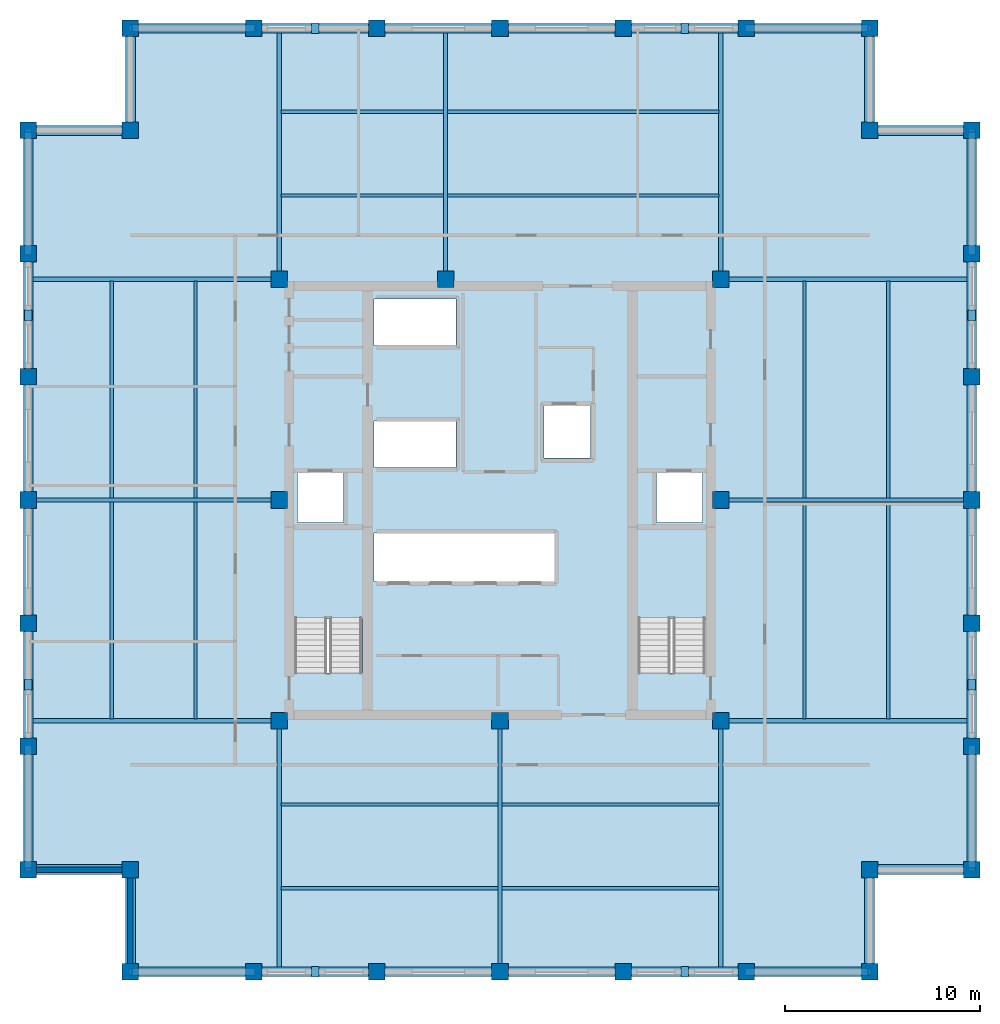
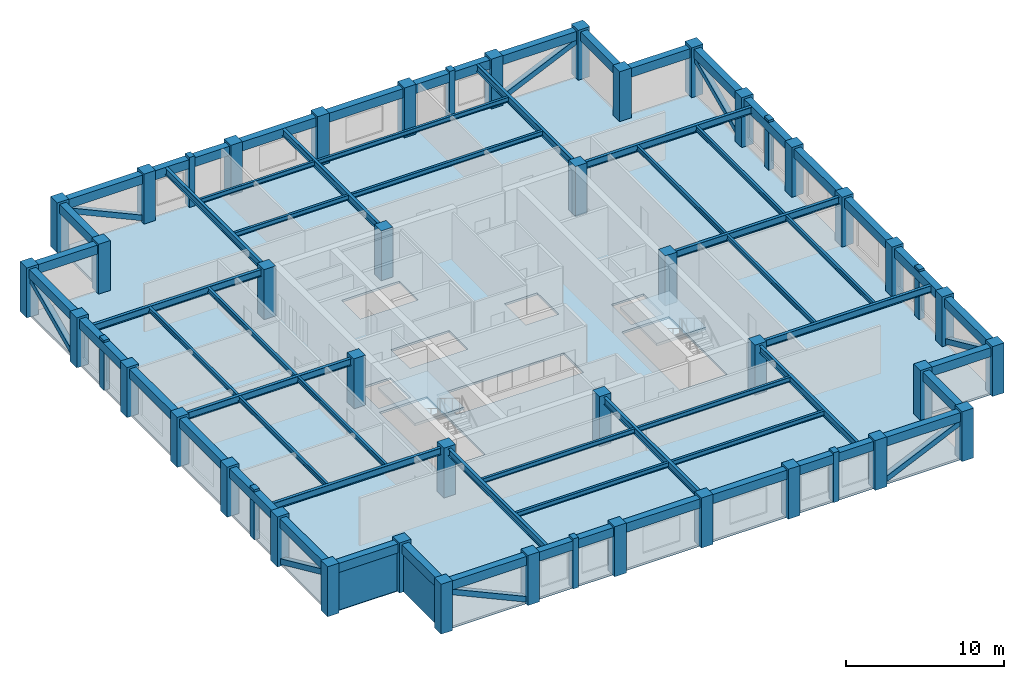
# One storey, part 1 of 6: 60 beams, 40 columns, 16 members, 3 slabs, 2 walls, 2 elements without a shape of their own.
"""IFC4 building model written with IfcOpenShell, lengths in metres."""

from ifc_helpers import new_model, si_unit, direction, frame, frame_2d, origin, origin_2d, place, context, subcontext, project, spatial, polyline, rectangle, hollow_rectangle, i_section, outline, extrude, material, layer, layer_set, material_profile, profile_set, type_object, element, aggregate, save


model = new_model("IFC4")

# Units and contexts
model_context = context("Model", 3, precision=1e-05, world=origin(), true_north=direction((0.0, 1.0)))
body_context = subcontext(model_context, "Body", "Model", "MODEL_VIEW")
ifc_project = project(units=[si_unit("LENGTHUNIT", "METRE"), si_unit("AREAUNIT", "SQUARE_METRE"), si_unit("VOLUMEUNIT", "CUBIC_METRE"), si_unit("PLANEANGLEUNIT", "RADIAN"), si_unit("MASSUNIT", "GRAM", prefix="KILO")], contexts=[model_context])

# Site, building, storey
site_placement = place(None, origin())
site = spatial("IfcSite", under=ifc_project, at=site_placement, CompositionType="ELEMENT")
building_placement = place(site_placement, origin())
building = spatial("IfcBuilding", under=site, at=building_placement, Name="Nhamokura Convention Tower", CompositionType="ELEMENT")
storey_placement = place(building_placement, frame((0.0, 0.0, 194.60009765625)))
storey = spatial("IfcBuildingStorey", under=building, at=storey_placement, Name="L47", CompositionType="ELEMENT", Elevation=194.60009765625)

# Columns
ifc_material_1 = material(Name="Concrete C50/60", Category="concrete")
ifc_material_profile_1 = material_profile(ifc_material_1, rectangle(XDim=0.85009765625, YDim=0.85009765625, at=origin_2d()))
ifc_profile_set_1 = profile_set([ifc_material_profile_1], Name="Concrete C50/60")
column_type = type_object("IfcColumnType", Name="TubeColumn_Z3_850", PredefinedType="COLUMN", material=ifc_profile_set_1)
for number, where, z_axis, x_axis, name in (
    (1, (20.64990234375, 20.64990234375, 0.0), (0.0, 0.0, 1.0), (1.0, 0.0, 0.0), "L47 Core Column CC-SW"),
    (2, (32.0, 20.64990234375, 0.0), (0.0, 0.0, 1.0), (1.0, 0.0, 0.0), "L47 Core Column CC-S"),
    (3, (43.35009765625, 20.64990234375, 0.0), (0.0, 0.0, 1.0), (1.0, 0.0, 0.0), "L47 Core Column CC-SE"),
    (4, (43.35009765625, 32.0, 0.0), (0.0, 0.0, 1.0), (1.0, 0.0, 0.0), "L47 Core Column CC-E"),
    (5, (43.35009765625, 43.35009765625, 0.0), (0.0, 0.0, 1.0), (1.0, 0.0, 0.0), "L47 Core Column CC-NE"),
    (6, (29.199951171875, 43.35009765625, 0.0), (0.0, 0.0, 1.0), (1.0, 0.0, 0.0), "L47 Core Column CC-N"),
    (7, (20.64990234375, 43.35009765625, 0.0), (0.0, 0.0, 1.0), (1.0, 0.0, 0.0), "L47 Core Column CC-NW"),
    (8, (20.64990234375, 32.0, 0.0), (0.0, 0.0, 1.0), (1.0, 0.0, 0.0), "L47 Core Column CC-W"),
    (9, (13.0, 7.75, 0.0), (0.0, 0.0, 1.0), (1.0, 0.0, 0.0), "L47 Perimeter Tube Column SW1"),
    (10, (13.0, 13.0, 0.0), (0.0, 0.0, 1.0), (1.0, 0.0, 0.0), "L47 Perimeter Tube Column SW0"),
    (11, (7.75, 13.0, 0.0), (0.0, 0.0, 1.0), (1.0, 0.0, 0.0), "L47 Perimeter Tube Column SW2"),
    (12, (51.0, 7.75, 0.0), (0.0, 0.0, 1.0), (1.0, 0.0, 0.0), "L47 Perimeter Tube Column SE1"),
    (13, (51.0, 13.0, 0.0), (0.0, 0.0, 1.0), (1.0, 0.0, 0.0), "L47 Perimeter Tube Column SE0"),
    (14, (56.25, 13.0, 0.0), (0.0, 0.0, 1.0), (1.0, 0.0, 0.0), "L47 Perimeter Tube Column SE2"),
    (15, (56.25, 51.0, 0.0), (0.0, 0.0, 1.0), (1.0, 0.0, 0.0), "L47 Perimeter Tube Column NE1"),
    (16, (51.0, 51.0, 0.0), (0.0, 0.0, 1.0), (1.0, 0.0, 0.0), "L47 Perimeter Tube Column NE0"),
    (17, (51.0, 56.25, 0.0), (0.0, 0.0, 1.0), (1.0, 0.0, 0.0), "L47 Perimeter Tube Column NE2"),
    (18, (13.0, 56.25, 0.0), (0.0, 0.0, 1.0), (1.0, 0.0, 0.0), "L47 Perimeter Tube Column NW1"),
    (19, (13.0, 51.0, 0.0), (0.0, 0.0, 1.0), (1.0, 0.0, 0.0), "L47 Perimeter Tube Column NW0"),
    (20, (7.75, 51.0, 0.0), (0.0, 0.0, 1.0), (1.0, 0.0, 0.0), "L47 Perimeter Tube Column NW2"),
    (21, (19.333251953125, 7.75, 0.0), (0.0, 0.0, 1.0), (1.0, 0.0, 0.0), "L47 Perimeter Tube Column S1"),
    (22, (19.333251953125, 56.25, 0.0), (0.0, 0.0, 1.0), (1.0, 0.0, 0.0), "L47 Perimeter Tube Column N1"),
    (23, (7.75, 19.333251953125, 0.0), (0.0, 0.0, 1.0), (1.0, 0.0, 0.0), "L47 Perimeter Tube Column W1"),
    (24, (56.25, 19.333251953125, 0.0), (0.0, 0.0, 1.0), (1.0, 0.0, 0.0), "L47 Perimeter Tube Column E1"),
    (25, (25.666748046875, 7.75, 0.0), (0.0, 0.0, 1.0), (1.0, 0.0, 0.0), "L47 Perimeter Tube Column S2"),
    (26, (25.666748046875, 56.25, 0.0), (0.0, 0.0, 1.0), (1.0, 0.0, 0.0), "L47 Perimeter Tube Column N2"),
    (27, (7.75, 25.666748046875, 0.0), (0.0, 0.0, 1.0), (1.0, 0.0, 0.0), "L47 Perimeter Tube Column W2"),
    (28, (56.25, 25.666748046875, 0.0), (0.0, 0.0, 1.0), (1.0, 0.0, 0.0), "L47 Perimeter Tube Column E2"),
    (29, (32.0, 7.75, 0.0), (0.0, 0.0, 1.0), (1.0, 0.0, 0.0), "L47 Perimeter Tube Column S3"),
    (30, (32.0, 56.25, 0.0), (0.0, 0.0, 1.0), (1.0, 0.0, 0.0), "L47 Perimeter Tube Column N3"),
    (31, (7.75, 32.0, 0.0), (0.0, 0.0, 1.0), (1.0, 0.0, 0.0), "L47 Perimeter Tube Column W3"),
    (32, (56.25, 32.0, 0.0), (0.0, 0.0, 1.0), (1.0, 0.0, 0.0), "L47 Perimeter Tube Column E3"),
    (33, (38.333251953125, 7.75, 0.0), (0.0, 0.0, 1.0), (1.0, 0.0, 0.0), "L47 Perimeter Tube Column S4"),
    (34, (38.333251953125, 56.25, 0.0), (0.0, 0.0, 1.0), (1.0, 0.0, 0.0), "L47 Perimeter Tube Column N4"),
    (35, (7.75, 38.333251953125, 0.0), (0.0, 0.0, 1.0), (1.0, 0.0, 0.0), "L47 Perimeter Tube Column W4"),
    (36, (56.25, 38.333251953125, 0.0), (0.0, 0.0, 1.0), (1.0, 0.0, 0.0), "L47 Perimeter Tube Column E4"),
    (37, (44.666748046875, 7.75, 0.0), (0.0, 0.0, 1.0), (1.0, 0.0, 0.0), "L47 Perimeter Tube Column S5"),
    (38, (44.666748046875, 56.25, 0.0), (0.0, 0.0, 1.0), (1.0, 0.0, 0.0), "L47 Perimeter Tube Column N5"),
    (39, (7.75, 44.666748046875, 0.0), (0.0, 0.0, 1.0), (1.0, 0.0, 0.0), "L47 Perimeter Tube Column W5"),
    (40, (56.25, 44.666748046875, 0.0), (0.0, 0.0, 1.0), (1.0, 0.0, 0.0), "L47 Perimeter Tube Column E5"),
):
    element("IfcColumn", number, at=place(storey_placement, frame(where, z_axis=z_axis, x_axis=x_axis)), inside=storey, type_object=column_type, Name=name, PredefinedType="COLUMN", context=body_context, shape_type="SweptSolid", body=[
        extrude(rectangle(XDim=0.85009765625, YDim=0.85009765625, at=origin_2d()), origin(), (0.0, 0.0, 1.0), 3.849853515625),
    ])

# Members
ifc_material_2 = material(Name="Bronze-pigmented precast concrete C45/55", Category="concrete")
ifc_material_profile_2 = material_profile(ifc_material_2, rectangle(XDim=0.39990234375, YDim=0.550048828125, at=origin_2d()))
ifc_profile_set_2 = profile_set([ifc_material_profile_2], Name="Bronze-pigmented precast concrete C45/55")
member_type_1 = type_object("IfcMemberType", Name="BronzePilaster_550", PredefinedType="USERDEFINED", material=ifc_profile_set_2)
for number, where, z_axis, x_axis, name in (
    (41, (22.5, 7.75, 0.0), (0.0, 0.0, 1.0), (1.0, 0.0, 0.0), "L47 Engaged Frame Pilaster SOUTH 1"),
    (42, (41.5, 7.75, 0.0), (0.0, 0.0, 1.0), (1.0, 0.0, 0.0), "L47 Engaged Frame Pilaster SOUTH 4"),
    (43, (22.5, 56.25, 0.0), (0.0, 0.0, 1.0), (1.0, 0.0, 0.0), "L47 Engaged Frame Pilaster NORTH 1"),
    (44, (41.5, 56.25, 0.0), (0.0, 0.0, 1.0), (1.0, 0.0, 0.0), "L47 Engaged Frame Pilaster NORTH 4"),
    (45, (7.75, 22.5, 0.0), (0.0, 0.0, 1.0), (1.0, 0.0, 0.0), "L47 Engaged Frame Pilaster WEST 1"),
    (46, (7.75, 41.5, 0.0), (0.0, 0.0, 1.0), (1.0, 0.0, 0.0), "L47 Engaged Frame Pilaster WEST 4"),
    (47, (56.25, 22.5, 0.0), (0.0, 0.0, 1.0), (1.0, 0.0, 0.0), "L47 Engaged Frame Pilaster EAST 1"),
    (48, (56.25, 41.5, 0.0), (0.0, 0.0, 1.0), (1.0, 0.0, 0.0), "L47 Engaged Frame Pilaster EAST 4"),
):
    element("IfcMember", number, at=place(storey_placement, frame(where, z_axis=z_axis, x_axis=x_axis)), inside=storey, type_object=member_type_1, Name=name, ObjectType="PILASTER_TRIM", PredefinedType="USERDEFINED", context=body_context, shape_type="SweptSolid", body=[
        extrude(rectangle(XDim=0.39990234375, YDim=0.550048828125, at=origin_2d()), origin(), (0.0, 0.0, 1.0), 3.849853515625),
    ])

# Beams
ifc_material_3 = material(Name="Steel ASTM A992 Gr 50", Category="steel")
ifc_material_profile_3 = material_profile(ifc_material_3, i_section(OverallWidth=0.172119140625, OverallDepth=0.35791015625, WebThickness=0.0078125, FlangeThickness=0.01318359375, at=origin_2d()))
ifc_profile_set_3 = profile_set([ifc_material_profile_3], Name="Steel ASTM A992 Gr 50")
beam_type_1 = type_object("IfcBeamType", Name="FloorJoist_W360X57", PredefinedType="JOIST", material=ifc_profile_set_3)
for number, where, z_axis, x_axis, name in (
    (49, (20.75341796875, 12.050048828125, 3.505859375), (1.0, 0.0, 0.0), (0.0, 1.0, 0.0), "L47 Composite Floor Joist S1A"),
    (50, (32.103515625, 12.050048828125, 3.505859375), (1.0, 0.0, 0.0), (0.0, 1.0, 0.0), "L47 Composite Floor Joist S1B"),
    (51, (20.75341796875, 16.35009765625, 3.505859375), (1.0, 0.0, 0.0), (0.0, 1.0, 0.0), "L47 Composite Floor Joist S2A"),
    (52, (32.103515625, 16.35009765625, 3.505859375), (1.0, 0.0, 0.0), (0.0, 1.0, 0.0), "L47 Composite Floor Joist S2B"),
):
    element("IfcBeam", number, at=place(storey_placement, frame(where, z_axis=z_axis, x_axis=x_axis)), inside=storey, type_object=beam_type_1, Name=name, PredefinedType="JOIST", context=body_context, shape_type="SweptSolid", body=[
        extrude(i_section(OverallWidth=0.172119140625, OverallDepth=0.35791015625, WebThickness=0.0078125, FlangeThickness=0.01318359375, at=origin_2d()), origin(), (0.0, 0.0, 1.0), 11.14306640625),
    ])
beam_1_placement = place(storey_placement, frame((20.75341796875, 47.64990234375, 3.505859375), z_axis=(1.0, 0.0, 0.0), x_axis=(0.0, 1.0, 0.0)))
element("IfcBeam", 53, at=beam_1_placement, inside=storey, type_object=beam_type_1, Name="L47 Composite Floor Joist N1A", PredefinedType="JOIST", context=body_context, shape_type="SweptSolid", body=[
    extrude(i_section(OverallWidth=0.172119140625, OverallDepth=0.35791015625, WebThickness=0.0078125, FlangeThickness=0.01318359375, at=origin_2d()), origin(), (0.0, 0.0, 1.0), 8.343017578125),
])
beam_2_placement = place(storey_placement, frame((29.303466796875, 47.64990234375, 3.505859375), z_axis=(1.0, 0.0, 0.0), x_axis=(0.0, 1.0, 0.0)))
element("IfcBeam", 54, at=beam_2_placement, inside=storey, type_object=beam_type_1, Name="L47 Composite Floor Joist N1B", PredefinedType="JOIST", context=body_context, shape_type="SweptSolid", body=[
    extrude(i_section(OverallWidth=0.172119140625, OverallDepth=0.35791015625, WebThickness=0.0078125, FlangeThickness=0.01318359375, at=origin_2d()), origin(), (0.0, 0.0, 1.0), 13.943115234375),
])
beam_3_placement = place(storey_placement, frame((20.75341796875, 51.949951171875, 3.505859375), z_axis=(1.0, 0.0, 0.0), x_axis=(0.0, 1.0, 0.0)))
element("IfcBeam", 55, at=beam_3_placement, inside=storey, type_object=beam_type_1, Name="L47 Composite Floor Joist N2A", PredefinedType="JOIST", context=body_context, shape_type="SweptSolid", body=[
    extrude(i_section(OverallWidth=0.172119140625, OverallDepth=0.35791015625, WebThickness=0.0078125, FlangeThickness=0.01318359375, at=origin_2d()), origin(), (0.0, 0.0, 1.0), 8.343017578125),
])
beam_4_placement = place(storey_placement, frame((29.303466796875, 51.949951171875, 3.505859375), z_axis=(1.0, 0.0, 0.0), x_axis=(0.0, 1.0, 0.0)))
element("IfcBeam", 56, at=beam_4_placement, inside=storey, type_object=beam_type_1, Name="L47 Composite Floor Joist N2B", PredefinedType="JOIST", context=body_context, shape_type="SweptSolid", body=[
    extrude(i_section(OverallWidth=0.172119140625, OverallDepth=0.35791015625, WebThickness=0.0078125, FlangeThickness=0.01318359375, at=origin_2d()), origin(), (0.0, 0.0, 1.0), 13.943115234375),
])
for number, where, z_axis, x_axis, name in (
    (57, (12.050048828125, 20.75341796875, 3.505859375), (0.0, 1.0, 0.0), (-1.0, 0.0, 0.0), "L47 Composite Floor Joist W1A"),
    (58, (12.050048828125, 32.103515625, 3.505859375), (0.0, 1.0, 0.0), (-1.0, 0.0, 0.0), "L47 Composite Floor Joist W1B"),
    (59, (16.35009765625, 20.75341796875, 3.505859375), (0.0, 1.0, 0.0), (-1.0, 0.0, 0.0), "L47 Composite Floor Joist W2A"),
    (60, (16.35009765625, 32.103515625, 3.505859375), (0.0, 1.0, 0.0), (-1.0, 0.0, 0.0), "L47 Composite Floor Joist W2B"),
    (61, (47.64990234375, 20.75341796875, 3.505859375), (0.0, 1.0, 0.0), (-1.0, 0.0, 0.0), "L47 Composite Floor Joist E1A"),
    (62, (47.64990234375, 32.103515625, 3.505859375), (0.0, 1.0, 0.0), (-1.0, 0.0, 0.0), "L47 Composite Floor Joist E1B"),
    (63, (51.949951171875, 20.75341796875, 3.505859375), (0.0, 1.0, 0.0), (-1.0, 0.0, 0.0), "L47 Composite Floor Joist E2A"),
    (64, (51.949951171875, 32.103515625, 3.505859375), (0.0, 1.0, 0.0), (-1.0, 0.0, 0.0), "L47 Composite Floor Joist E2B"),
):
    element("IfcBeam", number, at=place(storey_placement, frame(where, z_axis=z_axis, x_axis=x_axis)), inside=storey, type_object=beam_type_1, Name=name, PredefinedType="JOIST", context=body_context, shape_type="SweptSolid", body=[
        extrude(i_section(OverallWidth=0.172119140625, OverallDepth=0.35791015625, WebThickness=0.0078125, FlangeThickness=0.01318359375, at=origin_2d()), origin(), (0.0, 0.0, 1.0), 11.14306640625),
    ])
ifc_material_4 = material(Name="Steel ASTM A992 Gr 50", Category="steel")
ifc_material_profile_4 = material_profile(ifc_material_4, i_section(OverallWidth=0.2109375, OverallDepth=0.5390625, WebThickness=0.01171875, FlangeThickness=0.018798828125, at=origin_2d()))
ifc_profile_set_4 = profile_set([ifc_material_profile_4], Name="Steel ASTM A992 Gr 50")
beam_type_2 = type_object("IfcBeamType", Name="PrimaryGirder_W530X109", PredefinedType="BEAM", material=ifc_profile_set_4)
for number, where, z_axis, x_axis, name in (
    (65, (20.64990234375, 7.75, 3.415283203125), (0.0, 1.0, 0.0), (-1.0, 0.0, 0.0), "L47 Primary Floor Girder PG-S1"),
    (66, (32.0, 7.75, 3.415283203125), (0.0, 1.0, 0.0), (-1.0, 0.0, 0.0), "L47 Primary Floor Girder PG-S2"),
    (67, (43.35009765625, 7.75, 3.415283203125), (0.0, 1.0, 0.0), (-1.0, 0.0, 0.0), "L47 Primary Floor Girder PG-S3"),
    (68, (20.64990234375, 43.35009765625, 3.415283203125), (0.0, 1.0, 0.0), (-1.0, 0.0, 0.0), "L47 Primary Floor Girder PG-N1"),
    (69, (29.199951171875, 43.35009765625, 3.415283203125), (0.0, 1.0, 0.0), (-1.0, 0.0, 0.0), "L47 Primary Floor Girder PG-N2"),
    (70, (43.35009765625, 43.35009765625, 3.415283203125), (0.0, 1.0, 0.0), (-1.0, 0.0, 0.0), "L47 Primary Floor Girder PG-N3"),
    (71, (7.75, 20.64990234375, 3.415283203125), (1.0, 0.0, 0.0), (0.0, 1.0, 0.0), "L47 Primary Floor Girder PG-W1"),
    (72, (7.75, 32.0, 3.415283203125), (1.0, 0.0, 0.0), (0.0, 1.0, 0.0), "L47 Primary Floor Girder PG-W2"),
    (73, (7.75, 43.35009765625, 3.415283203125), (1.0, 0.0, 0.0), (0.0, 1.0, 0.0), "L47 Primary Floor Girder PG-W3"),
    (74, (43.35009765625, 20.64990234375, 3.415283203125), (1.0, 0.0, 0.0), (0.0, 1.0, 0.0), "L47 Primary Floor Girder PG-E1"),
    (75, (43.35009765625, 32.0, 3.415283203125), (1.0, 0.0, 0.0), (0.0, 1.0, 0.0), "L47 Primary Floor Girder PG-E2"),
    (76, (43.35009765625, 43.35009765625, 3.415283203125), (1.0, 0.0, 0.0), (0.0, 1.0, 0.0), "L47 Primary Floor Girder PG-E3"),
):
    element("IfcBeam", number, at=place(storey_placement, frame(where, z_axis=z_axis, x_axis=x_axis)), inside=storey, type_object=beam_type_2, Name=name, PredefinedType="BEAM", context=body_context, shape_type="SweptSolid", body=[
        extrude(i_section(OverallWidth=0.2109375, OverallDepth=0.5390625, WebThickness=0.01171875, FlangeThickness=0.018798828125, at=origin_2d()), origin(), (0.0, 0.0, 1.0), 12.89990234375),
    ])

# Members
ifc_material_5 = material(Name="Steel ASTM A572 Gr 50", Category="steel")
ifc_material_profile_5 = material_profile(ifc_material_5, hollow_rectangle(XDim=0.39990234375, YDim=0.39990234375, WallThickness=0.02001953125, at=origin_2d()))
ifc_profile_set_5 = profile_set([ifc_material_profile_5], Name="Steel ASTM A572 Gr 50")
member_type_2 = type_object("IfcMemberType", Name="TubeBrace_HSS400", PredefinedType="BRACE", material=ifc_profile_set_5)
for number, where, z_axis, x_axis, name in (
    (77, (19.333251953125, 7.75, 0.14990234375), (-0.910027379678, 0.0, 0.41454814948), (0.0, -1.0, 0.0), "L47 Perimeter Tube Brace SOUTH Bay 0"),
    (78, (44.666748046875, 7.75, 0.14990234375), (0.910027379678, 0.0, 0.41454814948), (0.0, 1.0, 0.0), "L47 Perimeter Tube Brace SOUTH Bay 5"),
    (79, (19.333251953125, 56.25, 0.14990234375), (-0.910027379678, 0.0, 0.41454814948), (0.0, -1.0, 0.0), "L47 Perimeter Tube Brace NORTH Bay 0"),
    (80, (44.666748046875, 56.25, 0.14990234375), (0.910027379678, 0.0, 0.41454814948), (0.0, 1.0, 0.0), "L47 Perimeter Tube Brace NORTH Bay 5"),
    (81, (7.75, 19.333251953125, 0.14990234375), (0.0, -0.910027379678, 0.41454814948), (1.0, 0.0, 0.0), "L47 Perimeter Tube Brace WEST Bay 0"),
    (82, (7.75, 44.666748046875, 0.14990234375), (0.0, 0.910027379678, 0.41454814948), (-1.0, 0.0, 0.0), "L47 Perimeter Tube Brace WEST Bay 5"),
    (83, (56.25, 19.333251953125, 0.14990234375), (0.0, -0.910027379678, 0.41454814948), (1.0, 0.0, 0.0), "L47 Perimeter Tube Brace EAST Bay 0"),
    (84, (56.25, 44.666748046875, 0.14990234375), (0.0, 0.910027379678, 0.41454814948), (-1.0, 0.0, 0.0), "L47 Perimeter Tube Brace EAST Bay 5"),
):
    element("IfcMember", number, at=place(storey_placement, frame(where, z_axis=z_axis, x_axis=x_axis)), inside=storey, type_object=member_type_2, Name=name, PredefinedType="BRACE", context=body_context, shape_type="SweptSolid", body=[
        extrude(hollow_rectangle(XDim=0.39990234375, YDim=0.39990234375, WallThickness=0.02001953125, at=origin_2d()), origin(), (0.0, 0.0, 1.0), 6.95947265625),
    ])

# Beams
ifc_material_6 = material(Name="Concrete C50/60", Category="concrete")
ifc_material_profile_6 = material_profile(ifc_material_6, rectangle(XDim=0.5, YDim=0.699951171875, at=origin_2d()))
ifc_profile_set_6 = profile_set([ifc_material_profile_6], Name="Concrete C50/60")
beam_type_3 = type_object("IfcBeamType", Name="TubeSpandrel_700", PredefinedType="SPANDREL", material=ifc_profile_set_6)
beam_5_placement = place(storey_placement, frame((13.0, 7.75, 3.3349609375), z_axis=(1.0, 0.0, 0.0), x_axis=(0.0, 1.0, 0.0)))
element("IfcBeam", 85, at=beam_5_placement, inside=storey, type_object=beam_type_3, Name="L47 Perimeter Spandrel SOUTH 1", PredefinedType="SPANDREL", context=body_context, shape_type="SweptSolid", body=[
    extrude(rectangle(XDim=0.5, YDim=0.699951171875, at=origin_2d()), origin(), (0.0, 0.0, 1.0), 6.333251953125),
])
beam_6_placement = place(storey_placement, frame((19.333251953125, 7.75, 3.3349609375), z_axis=(1.0, 0.0, 0.0), x_axis=(0.0, 1.0, 0.0)))
element("IfcBeam", 86, at=beam_6_placement, inside=storey, type_object=beam_type_3, Name="L47 Perimeter Spandrel SOUTH 2", PredefinedType="SPANDREL", context=body_context, shape_type="SweptSolid", body=[
    extrude(rectangle(XDim=0.5, YDim=0.699951171875, at=origin_2d()), origin(), (0.0, 0.0, 1.0), 6.33349609375),
])
for number, where, z_axis, x_axis, name in (
    (87, (25.666748046875, 7.75, 3.3349609375), (1.0, 0.0, 0.0), (0.0, 1.0, 0.0), "L47 Perimeter Spandrel SOUTH 3"),
    (88, (32.0, 7.75, 3.3349609375), (1.0, 0.0, 0.0), (0.0, 1.0, 0.0), "L47 Perimeter Spandrel SOUTH 4"),
):
    element("IfcBeam", number, at=place(storey_placement, frame(where, z_axis=z_axis, x_axis=x_axis)), inside=storey, type_object=beam_type_3, Name=name, PredefinedType="SPANDREL", context=body_context, shape_type="SweptSolid", body=[
        extrude(rectangle(XDim=0.5, YDim=0.699951171875, at=origin_2d()), origin(), (0.0, 0.0, 1.0), 6.333251953125),
    ])
beam_7_placement = place(storey_placement, frame((38.333251953125, 7.75, 3.3349609375), z_axis=(1.0, 0.0, 0.0), x_axis=(0.0, 1.0, 0.0)))
element("IfcBeam", 89, at=beam_7_placement, inside=storey, type_object=beam_type_3, Name="L47 Perimeter Spandrel SOUTH 5", PredefinedType="SPANDREL", context=body_context, shape_type="SweptSolid", body=[
    extrude(rectangle(XDim=0.5, YDim=0.699951171875, at=origin_2d()), origin(), (0.0, 0.0, 1.0), 6.33349609375),
])
for number, where, z_axis, x_axis, name in (
    (90, (44.666748046875, 7.75, 3.3349609375), (1.0, 0.0, 0.0), (0.0, 1.0, 0.0), "L47 Perimeter Spandrel SOUTH 6"),
    (91, (13.0, 56.25, 3.3349609375), (1.0, 0.0, 0.0), (0.0, 1.0, 0.0), "L47 Perimeter Spandrel NORTH 1"),
):
    element("IfcBeam", number, at=place(storey_placement, frame(where, z_axis=z_axis, x_axis=x_axis)), inside=storey, type_object=beam_type_3, Name=name, PredefinedType="SPANDREL", context=body_context, shape_type="SweptSolid", body=[
        extrude(rectangle(XDim=0.5, YDim=0.699951171875, at=origin_2d()), origin(), (0.0, 0.0, 1.0), 6.333251953125),
    ])
beam_8_placement = place(storey_placement, frame((19.333251953125, 56.25, 3.3349609375), z_axis=(1.0, 0.0, 0.0), x_axis=(0.0, 1.0, 0.0)))
element("IfcBeam", 92, at=beam_8_placement, inside=storey, type_object=beam_type_3, Name="L47 Perimeter Spandrel NORTH 2", PredefinedType="SPANDREL", context=body_context, shape_type="SweptSolid", body=[
    extrude(rectangle(XDim=0.5, YDim=0.699951171875, at=origin_2d()), origin(), (0.0, 0.0, 1.0), 6.33349609375),
])
for number, where, z_axis, x_axis, name in (
    (93, (25.666748046875, 56.25, 3.3349609375), (1.0, 0.0, 0.0), (0.0, 1.0, 0.0), "L47 Perimeter Spandrel NORTH 3"),
    (94, (32.0, 56.25, 3.3349609375), (1.0, 0.0, 0.0), (0.0, 1.0, 0.0), "L47 Perimeter Spandrel NORTH 4"),
):
    element("IfcBeam", number, at=place(storey_placement, frame(where, z_axis=z_axis, x_axis=x_axis)), inside=storey, type_object=beam_type_3, Name=name, PredefinedType="SPANDREL", context=body_context, shape_type="SweptSolid", body=[
        extrude(rectangle(XDim=0.5, YDim=0.699951171875, at=origin_2d()), origin(), (0.0, 0.0, 1.0), 6.333251953125),
    ])
beam_9_placement = place(storey_placement, frame((38.333251953125, 56.25, 3.3349609375), z_axis=(1.0, 0.0, 0.0), x_axis=(0.0, 1.0, 0.0)))
element("IfcBeam", 95, at=beam_9_placement, inside=storey, type_object=beam_type_3, Name="L47 Perimeter Spandrel NORTH 5", PredefinedType="SPANDREL", context=body_context, shape_type="SweptSolid", body=[
    extrude(rectangle(XDim=0.5, YDim=0.699951171875, at=origin_2d()), origin(), (0.0, 0.0, 1.0), 6.33349609375),
])
for number, where, z_axis, x_axis, name in (
    (96, (44.666748046875, 56.25, 3.3349609375), (1.0, 0.0, 0.0), (0.0, 1.0, 0.0), "L47 Perimeter Spandrel NORTH 6"),
    (97, (7.75, 13.0, 3.3349609375), (0.0, 1.0, 0.0), (-1.0, 0.0, 0.0), "L47 Perimeter Spandrel WEST 1"),
):
    element("IfcBeam", number, at=place(storey_placement, frame(where, z_axis=z_axis, x_axis=x_axis)), inside=storey, type_object=beam_type_3, Name=name, PredefinedType="SPANDREL", context=body_context, shape_type="SweptSolid", body=[
        extrude(rectangle(XDim=0.5, YDim=0.699951171875, at=origin_2d()), origin(), (0.0, 0.0, 1.0), 6.333251953125),
    ])
beam_10_placement = place(storey_placement, frame((7.75, 19.333251953125, 3.3349609375), z_axis=(0.0, 1.0, 0.0), x_axis=(-1.0, 0.0, 0.0)))
element("IfcBeam", 98, at=beam_10_placement, inside=storey, type_object=beam_type_3, Name="L47 Perimeter Spandrel WEST 2", PredefinedType="SPANDREL", context=body_context, shape_type="SweptSolid", body=[
    extrude(rectangle(XDim=0.5, YDim=0.699951171875, at=origin_2d()), origin(), (0.0, 0.0, 1.0), 6.33349609375),
])
for number, where, z_axis, x_axis, name in (
    (99, (7.75, 25.666748046875, 3.3349609375), (0.0, 1.0, 0.0), (-1.0, 0.0, 0.0), "L47 Perimeter Spandrel WEST 3"),
    (100, (7.75, 32.0, 3.3349609375), (0.0, 1.0, 0.0), (-1.0, 0.0, 0.0), "L47 Perimeter Spandrel WEST 4"),
):
    element("IfcBeam", number, at=place(storey_placement, frame(where, z_axis=z_axis, x_axis=x_axis)), inside=storey, type_object=beam_type_3, Name=name, PredefinedType="SPANDREL", context=body_context, shape_type="SweptSolid", body=[
        extrude(rectangle(XDim=0.5, YDim=0.699951171875, at=origin_2d()), origin(), (0.0, 0.0, 1.0), 6.333251953125),
    ])
beam_11_placement = place(storey_placement, frame((7.75, 38.333251953125, 3.3349609375), z_axis=(0.0, 1.0, 0.0), x_axis=(-1.0, 0.0, 0.0)))
element("IfcBeam", 101, at=beam_11_placement, inside=storey, type_object=beam_type_3, Name="L47 Perimeter Spandrel WEST 5", PredefinedType="SPANDREL", context=body_context, shape_type="SweptSolid", body=[
    extrude(rectangle(XDim=0.5, YDim=0.699951171875, at=origin_2d()), origin(), (0.0, 0.0, 1.0), 6.33349609375),
])
for number, where, z_axis, x_axis, name in (
    (102, (7.75, 44.666748046875, 3.3349609375), (0.0, 1.0, 0.0), (-1.0, 0.0, 0.0), "L47 Perimeter Spandrel WEST 6"),
    (103, (56.25, 13.0, 3.3349609375), (0.0, 1.0, 0.0), (-1.0, 0.0, 0.0), "L47 Perimeter Spandrel EAST 1"),
):
    element("IfcBeam", number, at=place(storey_placement, frame(where, z_axis=z_axis, x_axis=x_axis)), inside=storey, type_object=beam_type_3, Name=name, PredefinedType="SPANDREL", context=body_context, shape_type="SweptSolid", body=[
        extrude(rectangle(XDim=0.5, YDim=0.699951171875, at=origin_2d()), origin(), (0.0, 0.0, 1.0), 6.333251953125),
    ])
beam_12_placement = place(storey_placement, frame((56.25, 19.333251953125, 3.3349609375), z_axis=(0.0, 1.0, 0.0), x_axis=(-1.0, 0.0, 0.0)))
element("IfcBeam", 104, at=beam_12_placement, inside=storey, type_object=beam_type_3, Name="L47 Perimeter Spandrel EAST 2", PredefinedType="SPANDREL", context=body_context, shape_type="SweptSolid", body=[
    extrude(rectangle(XDim=0.5, YDim=0.699951171875, at=origin_2d()), origin(), (0.0, 0.0, 1.0), 6.33349609375),
])
for number, where, z_axis, x_axis, name in (
    (105, (56.25, 25.666748046875, 3.3349609375), (0.0, 1.0, 0.0), (-1.0, 0.0, 0.0), "L47 Perimeter Spandrel EAST 3"),
    (106, (56.25, 32.0, 3.3349609375), (0.0, 1.0, 0.0), (-1.0, 0.0, 0.0), "L47 Perimeter Spandrel EAST 4"),
):
    element("IfcBeam", number, at=place(storey_placement, frame(where, z_axis=z_axis, x_axis=x_axis)), inside=storey, type_object=beam_type_3, Name=name, PredefinedType="SPANDREL", context=body_context, shape_type="SweptSolid", body=[
        extrude(rectangle(XDim=0.5, YDim=0.699951171875, at=origin_2d()), origin(), (0.0, 0.0, 1.0), 6.333251953125),
    ])
beam_13_placement = place(storey_placement, frame((56.25, 38.333251953125, 3.3349609375), z_axis=(0.0, 1.0, 0.0), x_axis=(-1.0, 0.0, 0.0)))
element("IfcBeam", 107, at=beam_13_placement, inside=storey, type_object=beam_type_3, Name="L47 Perimeter Spandrel EAST 5", PredefinedType="SPANDREL", context=body_context, shape_type="SweptSolid", body=[
    extrude(rectangle(XDim=0.5, YDim=0.699951171875, at=origin_2d()), origin(), (0.0, 0.0, 1.0), 6.33349609375),
])
beam_14_placement = place(storey_placement, frame((56.25, 44.666748046875, 3.3349609375), z_axis=(0.0, 1.0, 0.0), x_axis=(-1.0, 0.0, 0.0)))
element("IfcBeam", 108, at=beam_14_placement, inside=storey, type_object=beam_type_3, Name="L47 Perimeter Spandrel EAST 6", PredefinedType="SPANDREL", context=body_context, shape_type="SweptSolid", body=[
    extrude(rectangle(XDim=0.5, YDim=0.699951171875, at=origin_2d()), origin(), (0.0, 0.0, 1.0), 6.333251953125),
])
for number, where, z_axis, x_axis, name in (
    (109, (13.0, 7.75, 3.3349609375), (0.0, 1.0, 0.0), (-1.0, 0.0, 0.0), "L47 Notch Spandrel SW1"),
    (110, (13.0, 13.0, 3.3349609375), (-1.0, 0.0, 0.0), (0.0, -1.0, 0.0), "L47 Notch Spandrel SW2"),
    (111, (51.0, 7.75, 3.3349609375), (0.0, 1.0, 0.0), (-1.0, 0.0, 0.0), "L47 Notch Spandrel SE1"),
    (112, (51.0, 13.0, 3.3349609375), (1.0, 0.0, 0.0), (0.0, 1.0, 0.0), "L47 Notch Spandrel SE2"),
    (113, (56.25, 51.0, 3.3349609375), (-1.0, 0.0, 0.0), (0.0, -1.0, 0.0), "L47 Notch Spandrel NE1"),
    (114, (51.0, 51.0, 3.3349609375), (0.0, 1.0, 0.0), (-1.0, 0.0, 0.0), "L47 Notch Spandrel NE2"),
    (115, (13.0, 56.25, 3.3349609375), (0.0, -1.0, 0.0), (1.0, 0.0, 0.0), "L47 Notch Spandrel NW1"),
    (116, (13.0, 51.0, 3.3349609375), (-1.0, 0.0, 0.0), (0.0, -1.0, 0.0), "L47 Notch Spandrel NW2"),
):
    element("IfcBeam", number, at=place(storey_placement, frame(where, z_axis=z_axis, x_axis=x_axis)), inside=storey, type_object=beam_type_3, Name=name, PredefinedType="SPANDREL", context=body_context, shape_type="SweptSolid", body=[
        extrude(rectangle(XDim=0.5, YDim=0.699951171875, at=origin_2d()), origin(), (0.0, 0.0, 1.0), 5.25),
    ])

# Slab
ifc_material_7 = material(Name="Concrete C40/50", Category="concrete")
ifc_layer_1 = layer(ifc_material_7, 0.1650390625)
ifc_layer_set_1 = layer_set([ifc_layer_1], Name="OfficeFloorSlab_165")
slab_type_1 = type_object("IfcSlabType", Name="OfficeFloorSlab_165", PredefinedType="FLOOR", material=ifc_layer_set_1)
slab_1_placement = place(storey_placement, frame((0.0, 0.0, -0.1650390625)))
element("IfcSlab", 117, at=slab_1_placement, inside=storey, type_object=slab_type_1, Name="L47 Structural Floor Slab", PredefinedType="FLOOR", context=body_context, shape_type="SweptSolid", body=[
    extrude(outline(polyline([(13.0, 7.75), (51.0, 7.75), (51.0, 13.0), (56.25, 13.0), (56.25, 51.0), (51.0, 51.0), (51.0, 56.25), (13.0, 56.25), (13.0, 51.0), (7.75, 51.0), (7.75, 13.0), (13.0, 13.0), (13.0, 7.75)]), holes=[polyline([(24.89990234375, 23.10009765625), (24.89990234375, 30.449951171875), (21.449951171875, 30.449951171875), (21.449951171875, 23.10009765625), (24.89990234375, 23.10009765625)]), polyline([(42.550048828125, 23.10009765625), (42.550048828125, 30.449951171875), (39.10009765625, 30.449951171875), (39.10009765625, 23.10009765625), (42.550048828125, 23.10009765625)]), polyline([(21.60009765625, 30.85009765625), (23.949951171875, 30.85009765625), (23.949951171875, 33.39990234375), (21.60009765625, 33.39990234375), (21.60009765625, 30.85009765625)]), polyline([(40.050048828125, 30.85009765625), (42.39990234375, 30.85009765625), (42.39990234375, 33.39990234375), (40.050048828125, 33.39990234375), (40.050048828125, 30.85009765625)]), polyline([(34.25, 34.14990234375), (36.64990234375, 34.14990234375), (36.64990234375, 36.85009765625), (34.25, 36.85009765625), (34.25, 34.14990234375)]), polyline([(25.52001953125, 27.800048828125), (34.800048828125, 27.800048828125), (34.800048828125, 30.300048828125), (25.52001953125, 30.300048828125), (25.52001953125, 27.800048828125)]), polyline([(25.52001953125, 33.679931640625), (29.75, 33.679931640625), (29.75, 36.050048828125), (25.52001953125, 36.050048828125), (25.52001953125, 33.679931640625)]), polyline([(25.52001953125, 39.949951171875), (29.75, 39.949951171875), (29.75, 42.320068359375), (25.52001953125, 42.320068359375), (25.52001953125, 39.949951171875)])]), origin(), (0.0, 0.0, 1.0), 0.1650390625),
])

# Stair, slab
ifc_material_8 = material(Name="Concrete C40/50", Category="concrete")
stair_type = type_object("IfcStairType", Name="TowerCoreStair_1650", PredefinedType="HALF_TURN_STAIR", material=ifc_material_8)
stair_1_placement = place(storey_placement, origin())
stair_1 = element("IfcStair", 118, at=stair_1_placement, inside=storey, type_object=stair_type, Name="L47 West Core Smokeproof Stair ST-01", PredefinedType="HALF_TURN_STAIR")
ifc_material_9 = material(Name="Concrete C40/50", Category="concrete")
ifc_layer_2 = layer(ifc_material_9, 0.199951171875)
ifc_layer_set_2 = layer_set([ifc_layer_2], Name="StairLandingSlab_200")
slab_type_2 = type_object("IfcSlabType", Name="StairLandingSlab_200", PredefinedType="LANDING", material=ifc_layer_set_2)
slab_2_placement = place(storey_placement, frame((0.0, 0.0, 1.724853515625)))
slab_2 = element("IfcSlab", 119, at=slab_2_placement, type_object=slab_type_2, Name="ST-01 landing 1", PredefinedType="LANDING", context=body_context, shape_type="SweptSolid", body=[
    extrude(outline(polyline([(24.97998046875, 25.8701171875), (24.97998046875, 30.530029296875), (21.3701171875, 30.530029296875), (21.3701171875, 25.8701171875), (24.97998046875, 25.8701171875)])), origin(), (0.0, 0.0, 1.0), 0.199951171875),
])
aggregate(stair_1, [slab_2])

stair_2_placement = place(storey_placement, origin())
stair_2 = element("IfcStair", 120, at=stair_2_placement, inside=storey, type_object=stair_type, Name="L47 East Core Smokeproof Stair ST-02", PredefinedType="HALF_TURN_STAIR")
slab_3_placement = place(storey_placement, frame((0.0, 0.0, 1.724853515625)))
slab_3 = element("IfcSlab", 121, at=slab_3_placement, type_object=slab_type_2, Name="ST-02 landing 1", PredefinedType="LANDING", context=body_context, shape_type="SweptSolid", body=[
    extrude(outline(polyline([(42.6298828125, 25.8701171875), (42.6298828125, 30.530029296875), (39.02001953125, 30.530029296875), (39.02001953125, 25.8701171875), (42.6298828125, 25.8701171875)])), origin(), (0.0, 0.0, 1.0), 0.199951171875),
])
aggregate(stair_2, [slab_3])

# Walls
ifc_material_10 = material(Name="Bronze-pigmented precast concrete C45/55", Category="concrete")
ifc_layer_3 = layer(ifc_material_10, 0.280029296875)
ifc_layer_set_3 = layer_set([ifc_layer_3], Name="BronzePrecastSpandrel_280")
wall_type = type_object("IfcWallType", Name="BronzePrecastSpandrel_280", PredefinedType="USERDEFINED", material=ifc_layer_set_3)
for number, where, z_axis, x_axis, name in (
    (122, (13.0, 7.75, 0.0), (0.0, 0.0, 1.0), (0.0, 1.0, 0.0), "L47 Notched Corner Wall SW1"),
    (123, (13.0, 13.0, 0.0), (0.0, 0.0, 1.0), (-1.0, 0.0, 0.0), "L47 Notched Corner Wall SW2"),
):
    element("IfcWall", number, at=place(storey_placement, frame(where, z_axis=z_axis, x_axis=x_axis)), inside=storey, type_object=wall_type, Name=name, ObjectType="SPANDREL_WALL", PredefinedType="USERDEFINED", context=body_context, shape_type="SweptSolid", body=[
        extrude(rectangle(XDim=5.25, YDim=0.280029296875, at=frame_2d((2.625, 0.0))), origin(), (0.0, 0.0, 1.0), 2.98486328125),
    ])

save(model, "model.ifc")
